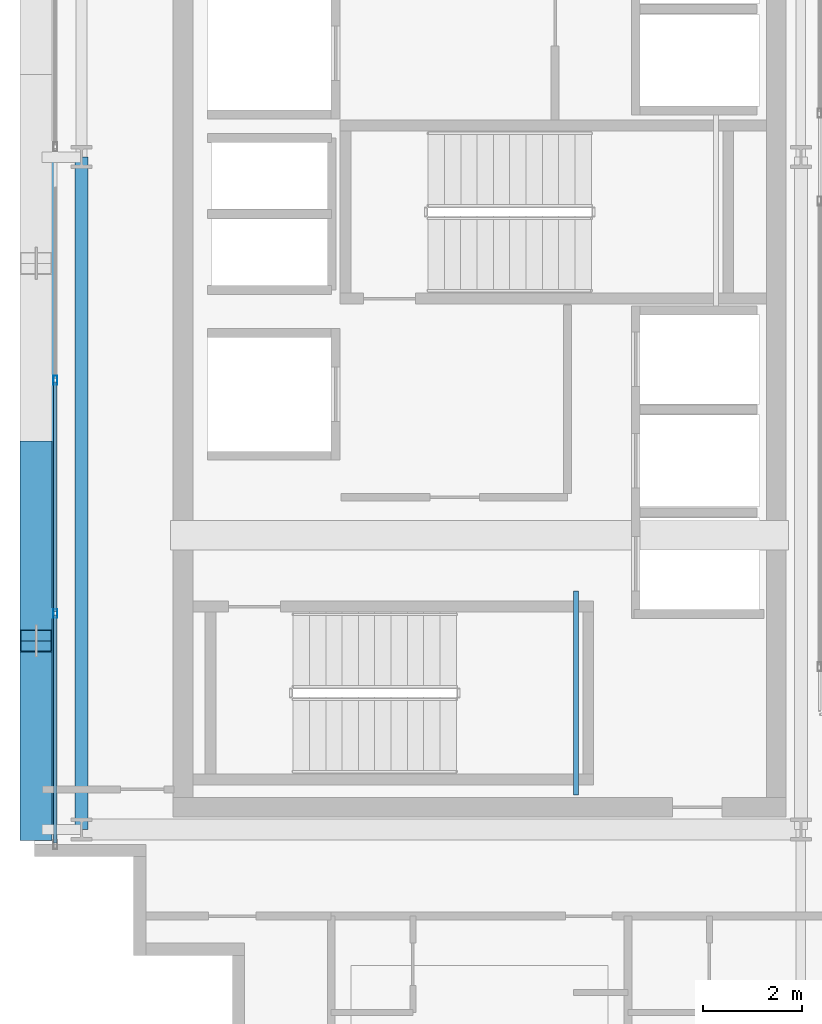
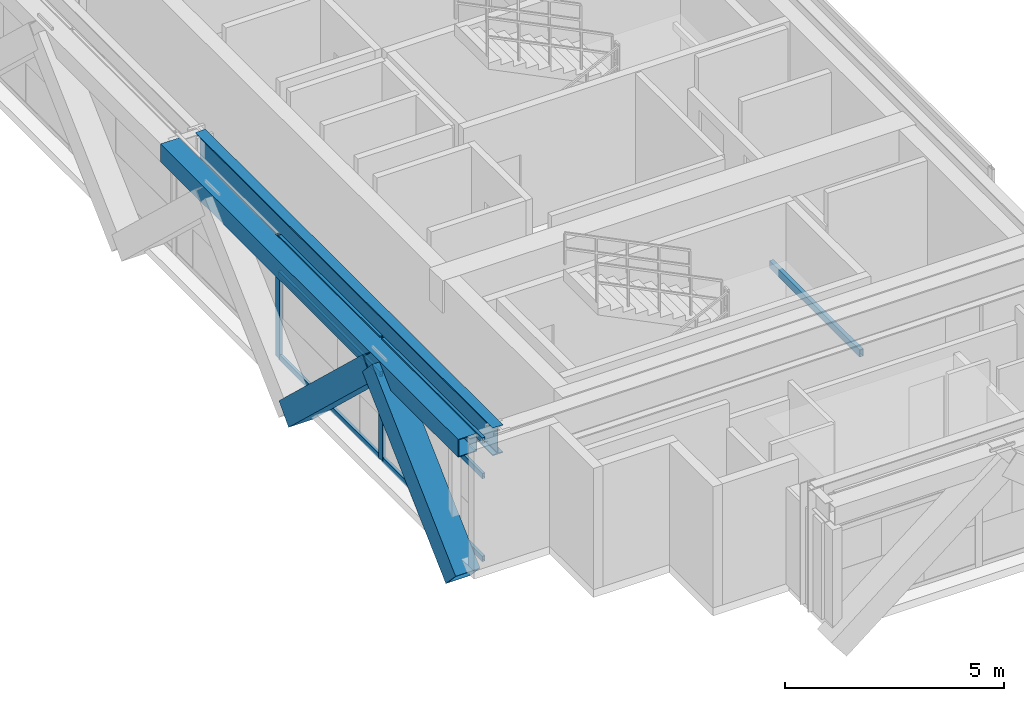
# One storey, part 3 of 29: 10 members, 3 beams, 1 element without a shape of its own.
"""IFC4 building model written with IfcOpenShell, lengths in metres."""

import ifcopenshell
import ifcopenshell.guid

model = None  # the IFC model being written
_history = None  # IfcOwnerHistory: only IFC2X3 demands one
_inside = {}  # id of a spatial element -> (the spatial element, [elements in it])
_under = {}  # id of a project, library or spatial element -> (it, [spatial elements below it])
_declared = {}  # id of a project -> (the project, [libraries it declares])
_typed = {}  # id of a type object -> (the type object, [elements of that type])
_made_of = {}  # id of a material, layer set ... -> (it, [elements and type objects made of it])


def new_model(schema):
    """Start an empty IFC model of exactly this schema.

    Asked for "IFC4X3", IfcOpenShell would pick the latest addendum, in which some entities
    have other attributes; the version numbers below select the first issue.
    IFC2X3 requires an IfcOwnerHistory on every rooted entity: one is made here for all.
    """
    global model, _history
    if schema == "IFC4X3":
        model = ifcopenshell.file(schema_version=(4, 3, 0, 0))
    else:
        model = ifcopenshell.file(schema=schema)
    _inside.clear()
    _under.clear()
    _declared.clear()
    _typed.clear()
    _made_of.clear()
    _history = None
    if model.schema == "IFC2X3":
        org = make("IfcOrganization", Name="unknown")
        user = make(
            "IfcPersonAndOrganization",
            ThePerson=make("IfcPerson", FamilyName="unknown"),
            TheOrganization=org,
        )
        app = make(
            "IfcApplication",
            ApplicationDeveloper=org,
            Version="unknown",
            ApplicationFullName="unknown",
            ApplicationIdentifier="unknown",
        )
        _history = make(
            "IfcOwnerHistory",
            OwningUser=user,
            OwningApplication=app,
            ChangeAction="ADDED",
            CreationDate=0,
        )
    return model


def make(cls, **values):
    """One entity of the class cls with the attributes given. An attribute that is None is left unset."""
    return model.create_entity(
        cls, **{name: value for name, value in values.items() if value is not None}
    )


def rooted(cls, **values):
    """An entity with a GlobalId (a new one), such as an element, a storey or a relation."""
    return make(cls, GlobalId=ifcopenshell.guid.new(), OwnerHistory=_history, **values)


def si_unit(unit_type, name, prefix=None):
    """IfcSIUnit, for example si_unit("LENGTHUNIT", "METRE", prefix="MILLI")."""
    return make("IfcSIUnit", UnitType=unit_type, Prefix=prefix, Name=name)


def assignment(units):
    """IfcUnitAssignment: the units of a project."""
    return None if units is None else make("IfcUnitAssignment", Units=units)


def point(xyz):
    """IfcCartesianPoint."""
    return None if xyz is None else make("IfcCartesianPoint", Coordinates=xyz)


def direction(xyz):
    """IfcDirection."""
    return None if xyz is None else make("IfcDirection", DirectionRatios=xyz)


def frame(location, z_axis=None, x_axis=None):
    """IfcAxis2Placement3D, a coordinate frame: its origin and axes. An axis left out is left unset."""
    return make(
        "IfcAxis2Placement3D",
        Location=point(location),
        Axis=direction(z_axis),
        RefDirection=direction(x_axis),
    )


def frame_2d(location, x_axis=None):
    """IfcAxis2Placement2D, a coordinate frame in the plane: its origin and x axis."""
    return make(
        "IfcAxis2Placement2D", Location=point(location), RefDirection=direction(x_axis)
    )


def origin():
    """The frame at (0, 0, 0) with its axes left unset."""
    return frame((0.0, 0.0, 0.0))


def origin_2d():
    """The frame at (0, 0) in the plane with its x axis left unset."""
    return frame_2d((0.0, 0.0))


def place(relative_to, where):
    """IfcLocalPlacement: puts the frame where relative to a parent placement (None: the world)."""
    return make(
        "IfcLocalPlacement", PlacementRelTo=relative_to, RelativePlacement=where
    )


def context(
    kind, dimensions, precision=None, world=None, true_north=None, identifier=None
):
    """IfcGeometricRepresentationContext, for example the 3D "Model" context."""
    return make(
        "IfcGeometricRepresentationContext",
        ContextIdentifier=identifier,
        ContextType=kind,
        CoordinateSpaceDimension=dimensions,
        Precision=precision,
        WorldCoordinateSystem=world,
        TrueNorth=true_north,
    )


def subcontext(parent, identifier, kind, view, scale=None):
    """IfcGeometricRepresentationSubContext, for example "Body" below "Model"."""
    return make(
        "IfcGeometricRepresentationSubContext",
        ContextIdentifier=identifier,
        ContextType=kind,
        ParentContext=parent,
        TargetScale=scale,
        TargetView=view,
    )


def project(units=None, contexts=None):
    """IfcProject with its units and contexts."""
    return rooted(
        "IfcProject",
        Name="project",
        RepresentationContexts=contexts,
        UnitsInContext=assignment(units),
    )


def spatial(cls, under=None, at=None, **own):
    """A site, building, storey or space (cls), placed at a placement, below another one or the project."""
    s = rooted(cls, ObjectPlacement=at, **own)
    if under is not None:
        _under.setdefault(under.id(), (under, []))[1].append(s)
    return s


def profile(cls, at=None, kind="AREA", **sizes):
    """A parametric profile (cls). Its sizes go by their IFC names, for example OverallWidth=200.0."""
    return make(cls, ProfileType=kind, Position=at, **sizes)


def hollow_rectangle(**sizes):
    """IfcRectangleHollowProfileDef."""
    return profile("IfcRectangleHollowProfileDef", **sizes)


def i_section(**sizes):
    """IfcIShapeProfileDef."""
    return profile("IfcIShapeProfileDef", **sizes)


def extrude(swept, where, along, depth):
    """IfcExtrudedAreaSolid: the profile swept, set in the frame where, extruded along a direction by depth."""
    return make(
        "IfcExtrudedAreaSolid",
        SweptArea=swept,
        Position=where,
        ExtrudedDirection=direction(along),
        Depth=depth,
    )


def shape(context_of_items, identifier, shape_type, items):
    """IfcShapeRepresentation: the items that make up one representation, for example the "Body"."""
    return make(
        "IfcShapeRepresentation",
        ContextOfItems=context_of_items,
        RepresentationIdentifier=identifier,
        RepresentationType=shape_type,
        Items=items,
    )


def source(mapping_origin, context_of_items, identifier, shape_type, items):
    """IfcRepresentationMap: a shape defined once, which mapped items show again and again."""
    return make(
        "IfcRepresentationMap",
        MappingOrigin=mapping_origin,
        MappedRepresentation=shape(context_of_items, identifier, shape_type, items),
    )


def transform(
    local_origin,
    x_axis=None,
    y_axis=None,
    z_axis=None,
    scale=None,
    scale2=None,
    scale3=None,
    uniform=True,
):
    """IfcCartesianTransformationOperator3D, or its non-uniform kind. x_axis, y_axis, z_axis: its Axis1, 2, 3."""
    if uniform:
        return make(
            "IfcCartesianTransformationOperator3D",
            Axis1=direction(x_axis),
            Axis2=direction(y_axis),
            LocalOrigin=point(local_origin),
            Scale=scale,
            Axis3=direction(z_axis),
        )
    return make(
        "IfcCartesianTransformationOperator3DnonUniform",
        Axis1=direction(x_axis),
        Axis2=direction(y_axis),
        LocalOrigin=point(local_origin),
        Scale=scale,
        Axis3=direction(z_axis),
        Scale2=scale2,
        Scale3=scale3,
    )


def mapped(mapping_source, mapping_target):
    """IfcMappedItem: shows the shape of a source again, moved by a transform."""
    return make(
        "IfcMappedItem", MappingSource=mapping_source, MappingTarget=mapping_target
    )


def material(Name=None, Category=None):
    """IfcMaterial."""
    return make("IfcMaterial", Name=Name, Category=Category)


def layer(
    of_material, thickness, ventilated=None, Name=None, Category=None, Priority=None
):
    """IfcMaterialLayer: one layer of a wall or slab, of a material (None: an air gap)."""
    return make(
        "IfcMaterialLayer",
        Material=of_material,
        LayerThickness=thickness,
        IsVentilated=ventilated,
        Name=Name,
        Category=Category,
        Priority=Priority,
    )


def layer_set(layers, Name=None):
    """IfcMaterialLayerSet."""
    return make("IfcMaterialLayerSet", MaterialLayers=layers, LayerSetName=Name)


def material_profile(
    of_material, cross_section, Name=None, Category=None, Priority=None
):
    """IfcMaterialProfile: a cross section and its material."""
    return make(
        "IfcMaterialProfile",
        Name=Name,
        Material=of_material,
        Profile=cross_section,
        Priority=Priority,
        Category=Category,
    )


def profile_set(profiles, Name=None, composite=None):
    """IfcMaterialProfileSet."""
    return make(
        "IfcMaterialProfileSet",
        Name=Name,
        MaterialProfiles=profiles,
        CompositeProfile=composite,
    )


def made_of(thing, what):
    """Note that an element or type object is made of a material, layer set ...; save() writes the relation."""
    if what is not None:
        _made_of.setdefault(what.id(), (what, []))[1].append(thing)
    return thing


def type_object(cls, material=None, **own):
    """A type object (cls), such as IfcWallType, which elements share."""
    return made_of(rooted(cls, **own), material)


def element(
    cls,
    number,
    at=None,
    inside=None,
    cuts=None,
    type_object=None,
    material=None,
    context=None,
    identifier="Body",
    shape_type=None,
    held_by="IfcProductDefinitionShape",
    body=None,
    shapes=None,
    **own,
):
    """One element of the class cls, such as IfcWall. Its Tag is "e" and its number.

    at: its placement. inside: the storey or other place that contains it. cuts: it is an
    opening in that element (IfcRelVoidsElement). A single representation is given by context,
    identifier, shape_type and body (its items); several are given by shapes. held_by: the class
    of the entity that holds the representations. save() writes the other relations.
    """
    e = rooted(cls, Tag="e%d" % number, ObjectPlacement=at, **own)
    if body is not None:
        shapes = [shape(context, identifier, shape_type, body)]
    if shapes is not None:
        e.Representation = make(held_by, Representations=shapes)
    if inside is not None:
        _inside.setdefault(inside.id(), (inside, []))[1].append(e)
    if cuts is not None:
        rooted(
            "IfcRelVoidsElement", RelatingBuildingElement=cuts, RelatedOpeningElement=e
        )
    if type_object is not None:
        _typed.setdefault(type_object.id(), (type_object, []))[1].append(e)
    return made_of(e, material)


def aggregate(whole, parts):
    """IfcRelAggregates: a whole, such as a stair, and the parts it consists of."""
    return rooted("IfcRelAggregates", RelatingObject=whole, RelatedObjects=parts)


def save(model, path):
    """Write the relations noted so far, then the file.

    IfcRelAggregates (storeys below a building ...), IfcRelContainedInSpatialStructure (elements
    in a storey), IfcRelDefinesByType, IfcRelAssociatesMaterial and IfcRelDeclares: one each for
    every whole, place, type object, material and project.
    """
    for whole, parts in _under.values():
        aggregate(whole, parts)
    for where, things in _inside.values():
        rooted(
            "IfcRelContainedInSpatialStructure",
            RelatedElements=things,
            RelatingStructure=where,
        )
    for kind, things in _typed.values():
        rooted("IfcRelDefinesByType", RelatedObjects=things, RelatingType=kind)
    for what, things in _made_of.values():
        rooted("IfcRelAssociatesMaterial", RelatedObjects=things, RelatingMaterial=what)
    for by, libraries in _declared.values():
        rooted("IfcRelDeclares", RelatingContext=by, RelatedDefinitions=libraries)
    model.write(path)


model = new_model("IFC4")

# Units and contexts
model_context = context("Model", 3, precision=1e-05, world=origin(), true_north=direction((0.0, 1.0)))
body_context = subcontext(model_context, "Body", "Model", "MODEL_VIEW")
ifc_project = project(units=[si_unit("LENGTHUNIT", "METRE"), si_unit("AREAUNIT", "SQUARE_METRE"), si_unit("VOLUMEUNIT", "CUBIC_METRE"), si_unit("PLANEANGLEUNIT", "RADIAN"), si_unit("MASSUNIT", "GRAM", prefix="KILO")], contexts=[model_context])

# Site, building, storey
site_placement = place(None, origin())
site = spatial("IfcSite", under=ifc_project, at=site_placement, CompositionType="ELEMENT")
building_placement = place(site_placement, origin())
building = spatial("IfcBuilding", under=site, at=building_placement, Name="Ocotamira Hotel", CompositionType="ELEMENT")
storey_placement = place(building_placement, frame((0.0, 0.0, 236.39990234375)))
storey = spatial("IfcBuildingStorey", under=building, at=storey_placement, Name="L59", CompositionType="ELEMENT", Elevation=236.39990234375)

# Beams
ifc_material_1 = material(Name="Steel ASTM A500 Grade C", Category="steel")
ifc_material_profile_1 = material_profile(ifc_material_1, hollow_rectangle(XDim=0.10009765625, YDim=0.199951171875, WallThickness=0.008056640625, at=origin_2d()), Name="HSS200X100X8")
ifc_profile_set_1 = profile_set([ifc_material_profile_1], Name="Steel ASTM A500 Grade C")
beam_type_1 = type_object("IfcBeamType", Name="BM-STLDG-HSS200", PredefinedType="BEAM", material=ifc_profile_set_1)
shared_shape_1 = source(origin(), body_context, "Body", "SweptSolid", [
    extrude(hollow_rectangle(XDim=0.10009765625, YDim=0.199951171875, WallThickness=0.008056640625, at=origin_2d()), origin(), (0.0, 0.0, 1.0), 4.1201171875),
])
beam_1_placement = place(storey_placement, frame((18.949951171875, 15.25, 1.5), z_axis=(0.0, 1.0, 0.0), x_axis=(-1.0, 0.0, 0.0)))
element("IfcBeam", 1, at=beam_1_placement, inside=storey, type_object=beam_type_1, Name="L59 Stair ST-1 Landing Bearer 1", PredefinedType="BEAM", context=body_context, shape_type="MappedRepresentation", body=[
    mapped(shared_shape_1, transform((0.0, 0.0, 0.0), scale=1.0)),
])
ifc_material_2 = material(Name="Steel ASTM A992 Grade 50", Category="steel")
ifc_material_profile_2 = material_profile(ifc_material_2, i_section(OverallWidth=0.26611328125, OverallDepth=0.779052734375, WebThickness=0.0166015625, FlangeThickness=0.030029296875, FilletRadius=0.01806640625, at=origin_2d()), Name="W30X148")
ifc_profile_set_2 = profile_set([ifc_material_profile_2], Name="Steel ASTM A992 Grade 50")
beam_type_2 = type_object("IfcBeamType", Name="BM-GIRD-W30X148", PredefinedType="BEAM", material=ifc_profile_set_2)
shared_shape_2 = source(origin(), body_context, "Body", "SweptSolid", [
    extrude(i_section(OverallWidth=0.26611328125, OverallDepth=0.779052734375, WebThickness=0.0166015625, FlangeThickness=0.030029296875, FilletRadius=0.01806640625, at=origin_2d()), origin(), (0.0, 0.0, 1.0), 13.599853515625),
])
beam_2_placement = place(storey_placement, frame((8.949951171875, 14.550048828125, 2.990478515625), z_axis=(0.0, 1.0, 0.0), x_axis=(-1.0, 0.0, 0.0)))
element("IfcBeam", 2, at=beam_2_placement, inside=storey, type_object=beam_type_2, Name="L59 Beam X8.95 Y14.55-28.15", PredefinedType="BEAM", context=body_context, shape_type="MappedRepresentation", body=[
    mapped(shared_shape_2, transform((0.0, 0.0, 0.0), scale=1.0)),
])
ifc_material_profile_3 = material_profile(ifc_material_1, hollow_rectangle(XDim=0.5, YDim=0.5, WallThickness=0.02001953125, at=origin_2d()), Name="HSS500X500X20")
ifc_profile_set_3 = profile_set([ifc_material_profile_3], Name="Steel ASTM A500 Grade C")
beam_type_3 = type_object("IfcBeamType", Name="BM-SPAN-HSS500", PredefinedType="USERDEFINED", material=ifc_profile_set_3)
shared_shape_3 = source(origin(), body_context, "Body", "SweptSolid", [
    extrude(hollow_rectangle(XDim=0.5, YDim=0.5, WallThickness=0.02001953125, at=origin_2d()), origin(), (0.0, 0.0, 1.0), 13.599853515625),
])
beam_3_placement = place(storey_placement, frame((8.14990234375, 14.550048828125, 3.130126953125), z_axis=(0.0, 1.0, 0.0), x_axis=(-1.0, 0.0, 0.0)))
element("IfcBeam", 3, at=beam_3_placement, inside=storey, type_object=beam_type_3, Name="L59 Edge Spandrel W Y14.55-28.15", ObjectType="SPANDREL", PredefinedType="USERDEFINED", context=body_context, shape_type="MappedRepresentation", body=[
    mapped(shared_shape_3, transform((0.0, 0.0, 0.0), scale=1.0)),
])

# Members
ifc_material_3 = material(Name="Pale-metal coated steel ASTM A913 Grade 65", Category="steel")
ifc_material_profile_4 = material_profile(ifc_material_3, hollow_rectangle(XDim=0.64990234375, YDim=0.64990234375, WallThickness=0.02197265625, at=origin_2d()), Name="BOX650X650X22")
ifc_profile_set_4 = profile_set([ifc_material_profile_4], Name="Pale-metal coated steel ASTM A913 Grade 65")
member_type_1 = type_object("IfcMemberType", Name="MEM-EXO-BOX650", PredefinedType="BRACE", material=ifc_profile_set_4)
shared_shape_4 = source(origin(), body_context, "Body", "SweptSolid", [
    extrude(hollow_rectangle(XDim=0.64990234375, YDim=0.64990234375, WallThickness=0.02197265625, at=origin_2d()), origin(), (0.0, 0.0, 1.0), 5.24658203125),
])
for number, where, z_axis, x_axis, name in (
    (4, (8.030029296875, 14.550048828125, -0.469970703125), (0.0, 0.727442733726, 0.686168397078), (-1.0, 0.0, 0.0), "L59 Exoskeleton Diagrid W0.1"),
    (5, (8.030029296875, 22.183349609375, -0.469970703125), (0.0, -0.727442733726, 0.686168397078), (1.0, 0.0, 0.0), "L59 Exoskeleton Diagrid W0.2"),
):
    element("IfcMember", number, at=place(storey_placement, frame(where, z_axis=z_axis, x_axis=x_axis)), inside=storey, type_object=member_type_1, Name=name, PredefinedType="BRACE", context=body_context, shape_type="MappedRepresentation", body=[
        mapped(shared_shape_4, transform((0.0, 0.0, 0.0), scale=1.0)),
    ])

# Curtain wall, members
ifc_material_4 = material(Name="Anodised pale-metal aluminium and solar glass", Category="aluminium")
ifc_layer = layer(ifc_material_4, 0.239990234375)
ifc_layer_set = layer_set([ifc_layer], Name="Anodised pale-metal aluminium and solar glass")
curtain_wall_type = type_object("IfcCurtainWallType", Name="CW-SYS5-SKY", PredefinedType="NOTDEFINED", material=ifc_layer_set)
curtain_wall_placement = place(storey_placement, origin())
curtain_wall = element("IfcCurtainWall", 6, at=curtain_wall_placement, inside=storey, type_object=curtain_wall_type, Name="L59 Curtain Wall CW-5 CW-L59-W", PredefinedType="NOTDEFINED")
ifc_material_5 = material(Name="Anodised pale-metal aluminium 6063-T6", Category="aluminium")
ifc_material_profile_5 = material_profile(ifc_material_5, hollow_rectangle(XDim=0.074951171875, YDim=0.14990234375, WallThickness=0.006103515625, at=origin_2d()), Name="HSS150X75X6")
ifc_profile_set_5 = profile_set([ifc_material_profile_5], Name="Anodised pale-metal aluminium 6063-T6")
member_type_2 = type_object("IfcMemberType", Name="CWT-150X75", PredefinedType="USERDEFINED", material=ifc_profile_set_5)
shared_shape_5 = source(origin(), body_context, "Body", "SweptSolid", [
    extrude(hollow_rectangle(XDim=0.074951171875, YDim=0.14990234375, WallThickness=0.006103515625, at=origin_2d()), origin(), (0.0, 0.0, 1.0), 4.599853515625),
])
member_1_placement = place(storey_placement, frame((8.419921875, 14.280029296875, 0.03759765625), z_axis=(0.0, 1.0, 0.0), x_axis=(-1.0, 0.0, 0.0)))
member_1 = element("IfcMember", 7, at=member_1_placement, type_object=member_type_2, Name="CW-5 transom 1.1", ObjectType="TRANSOM", PredefinedType="USERDEFINED", context=body_context, shape_type="MappedRepresentation", body=[
    mapped(shared_shape_5, transform((0.0, 0.0, 0.0), scale=1.0)),
])
member_2_placement = place(storey_placement, frame((8.419921875, 14.280029296875, 2.35009765625), z_axis=(0.0, 1.0, 0.0), x_axis=(-1.0, 0.0, 0.0)))
member_2 = element("IfcMember", 8, at=member_2_placement, type_object=member_type_2, Name="CW-5 transom 1.2", ObjectType="TRANSOM", PredefinedType="USERDEFINED", context=body_context, shape_type="MappedRepresentation", body=[
    mapped(shared_shape_5, transform((0.0, 0.0, 0.0), scale=1.0)),
])
member_3_placement = place(storey_placement, frame((8.419921875, 14.280029296875, 3.342529296875), z_axis=(0.0, 1.0, 0.0), x_axis=(-1.0, 0.0, 0.0)))
member_3 = element("IfcMember", 9, at=member_3_placement, type_object=member_type_2, Name="CW-5 transom 1.3", ObjectType="TRANSOM", PredefinedType="USERDEFINED", context=body_context, shape_type="MappedRepresentation", body=[
    mapped(shared_shape_5, transform((0.0, 0.0, 0.0), scale=1.0)),
])
shared_shape_6 = source(origin(), body_context, "Body", "SweptSolid", [
    extrude(hollow_rectangle(XDim=0.074951171875, YDim=0.14990234375, WallThickness=0.006103515625, at=origin_2d()), origin(), (0.0, 0.0, 1.0), 4.64013671875),
])
member_4_placement = place(storey_placement, frame((8.419921875, 18.9599609375, 0.03759765625), z_axis=(0.0, 1.0, 0.0), x_axis=(-1.0, 0.0, 0.0)))
member_4 = element("IfcMember", 10, at=member_4_placement, type_object=member_type_2, Name="CW-5 transom 2.1", ObjectType="TRANSOM", PredefinedType="USERDEFINED", context=body_context, shape_type="MappedRepresentation", body=[
    mapped(shared_shape_6, transform((0.0, 0.0, 0.0), scale=1.0)),
])
member_5_placement = place(storey_placement, frame((8.419921875, 18.9599609375, 2.35009765625), z_axis=(0.0, 1.0, 0.0), x_axis=(-1.0, 0.0, 0.0)))
member_5 = element("IfcMember", 11, at=member_5_placement, type_object=member_type_2, Name="CW-5 transom 2.2", ObjectType="TRANSOM", PredefinedType="USERDEFINED", context=body_context, shape_type="MappedRepresentation", body=[
    mapped(shared_shape_6, transform((0.0, 0.0, 0.0), scale=1.0)),
])
member_6_placement = place(storey_placement, frame((8.419921875, 18.9599609375, 3.342529296875), z_axis=(0.0, 1.0, 0.0), x_axis=(-1.0, 0.0, 0.0)))
member_6 = element("IfcMember", 12, at=member_6_placement, type_object=member_type_2, Name="CW-5 transom 2.3", ObjectType="TRANSOM", PredefinedType="USERDEFINED", context=body_context, shape_type="MappedRepresentation", body=[
    mapped(shared_shape_6, transform((0.0, 0.0, 0.0), scale=1.0)),
])
ifc_material_profile_6 = material_profile(ifc_material_5, hollow_rectangle(XDim=0.080078125, YDim=0.179931640625, WallThickness=0.006103515625, at=origin_2d()), Name="HSS180X80X6")
ifc_profile_set_6 = profile_set([ifc_material_profile_6], Name="Anodised pale-metal aluminium 6063-T6")
member_type_3 = type_object("IfcMemberType", Name="CWM-180X75", PredefinedType="MULLION", material=ifc_profile_set_6)
shared_shape_7 = source(origin(), body_context, "Body", "SweptSolid", [
    extrude(hollow_rectangle(XDim=0.080078125, YDim=0.179931640625, WallThickness=0.006103515625, at=origin_2d()), origin(), (0.0, 0.0, 1.0), 3.380126953125),
])
member_7_placement = place(storey_placement, frame((8.419921875, 18.919921875, 0.0), z_axis=(0.0, 0.0, 1.0), x_axis=(-1.0, 0.0, 0.0)))
member_7 = element("IfcMember", 13, at=member_7_placement, type_object=member_type_3, Name="CW-5 mullion 2", PredefinedType="MULLION", context=body_context, shape_type="MappedRepresentation", body=[
    mapped(shared_shape_7, transform((0.0, 0.0, 0.0), scale=1.0)),
])
member_8_placement = place(storey_placement, frame((8.419921875, 23.639892578125, 0.0), z_axis=(0.0, 0.0, 1.0), x_axis=(-1.0, 0.0, 0.0)))
member_8 = element("IfcMember", 14, at=member_8_placement, type_object=member_type_3, Name="CW-5 mullion 3", PredefinedType="MULLION", context=body_context, shape_type="MappedRepresentation", body=[
    mapped(shared_shape_7, transform((0.0, 0.0, 0.0), scale=1.0)),
])
aggregate(curtain_wall, [member_7, member_8, member_1, member_2, member_3, member_4, member_5, member_6])

save(model, "model.ifc")
